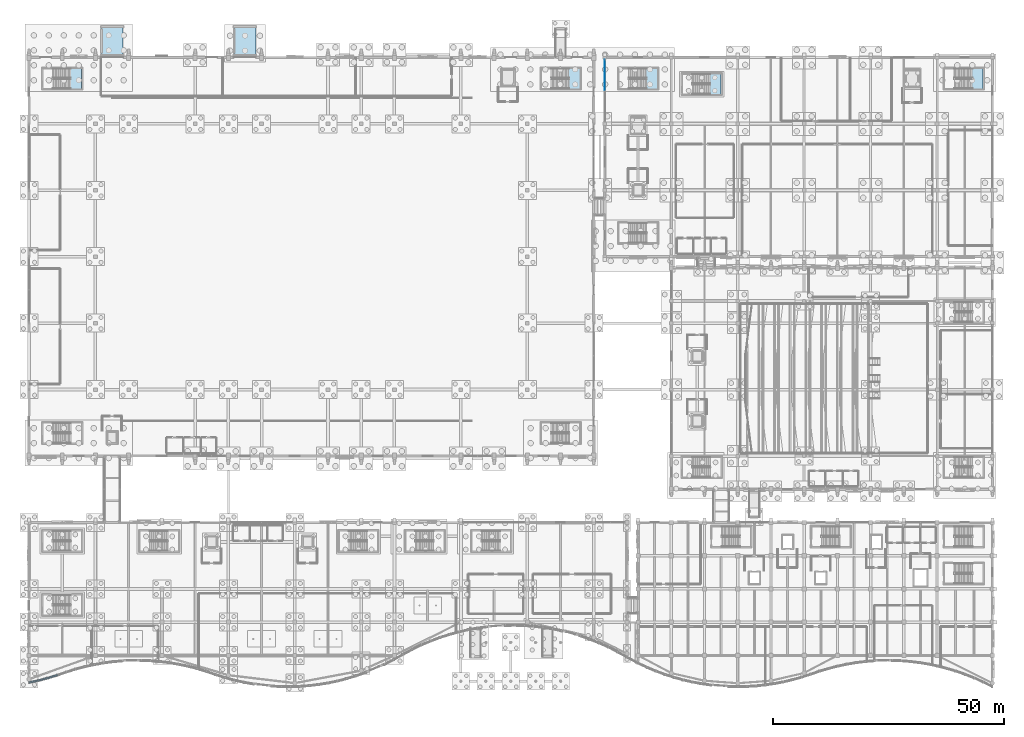
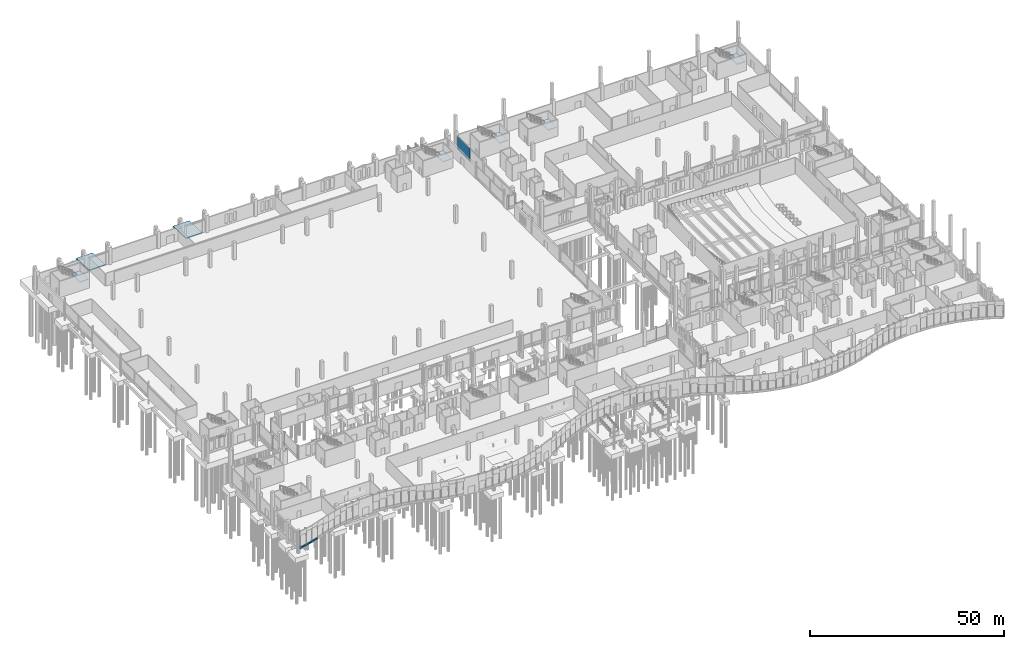
# One storey, part 129 of 192: 7 slabs, 3 walls, 2 plates, 6 elements without a shape of their own.
"""IFC4 building model written with IfcOpenShell, lengths in metres."""

from ifc_helpers import new_model, si_unit, direction, frame, frame_2d, origin, origin_2d, place, context, subcontext, project, spatial, polyline, rectangle, outline, extrude, material, layer, layer_set, type_object, element, aggregate, save


model = new_model("IFC4")

# Units and contexts
model_context = context("Model", 3, precision=1e-05, world=origin(), true_north=direction((0.0, 1.0)))
body_context = subcontext(model_context, "Body", "Model", "MODEL_VIEW")
ifc_project = project(units=[si_unit("LENGTHUNIT", "METRE"), si_unit("AREAUNIT", "SQUARE_METRE"), si_unit("VOLUMEUNIT", "CUBIC_METRE"), si_unit("PLANEANGLEUNIT", "RADIAN"), si_unit("MASSUNIT", "GRAM", prefix="KILO")], contexts=[model_context])

# Site, building, storey
site_placement = place(None, origin())
site = spatial("IfcSite", under=ifc_project, at=site_placement, CompositionType="ELEMENT")
building_placement = place(site_placement, origin())
building = spatial("IfcBuilding", under=site, at=building_placement, Name="Cendralis Lancet Convention Centre", CompositionType="ELEMENT")
storey_placement = place(building_placement, origin())
storey = spatial("IfcBuildingStorey", under=building, at=storey_placement, Name="L00", CompositionType="ELEMENT", Elevation=0.0)

# Curtain wall, plates
ifc_material_1 = material(Name="Anodised bronze architectural aluminium", Category="aluminium")
curtain_wall_type = type_object("IfcCurtainWallType", Name="ARC-CW-BL01", PredefinedType="USERDEFINED", material=ifc_material_1)
curtain_wall_placement = place(storey_placement, origin())
curtain_wall = element("IfcCurtainWall", 1, at=curtain_wall_placement, inside=storey, type_object=curtain_wall_type, Name="L00 Curtain Wall CW-BL1 #146", ObjectType="CURTAIN WALL", PredefinedType="USERDEFINED")
ifc_material_2 = material(Name="Double-glazed low-E solar-control glass", Category="glass")
ifc_layer_1 = layer(ifc_material_2, 0.035888671875, Name="Double-glazed low-E solar-control glass")
ifc_layer_set_1 = layer_set([ifc_layer_1], Name="Double-glazed low-E solar-control glass")
plate_type_1 = type_object("IfcPlateType", Name="ARC-PL-GL03", PredefinedType="CURTAIN_PANEL", material=ifc_layer_set_1)
plate_1_placement = place(storey_placement, frame((124.800048828125, 132.97509765625, 0.81982421875), z_axis=(0.0, 0.0, 1.0), x_axis=(0.0, 1.0, 0.0)))
plate_1 = element("IfcPlate", 2, at=plate_1_placement, type_object=plate_type_1, Name="Vision Glass Panel CW2-CW-BL1-L00-146-PG1", PredefinedType="CURTAIN_PANEL", context=body_context, shape_type="SweptSolid", body=[
    extrude(rectangle(XDim=6.590087890625, YDim=0.035888671875, at=origin_2d()), origin(), (0.0, 0.0, 1.0), 3.364990234375),
])
ifc_material_3 = material(Name="Insulated ceramic-fritted spandrel glass", Category="glass")
ifc_layer_2 = layer(ifc_material_3, 0.044921875, Name="Insulated ceramic-fritted spandrel glass")
ifc_layer_set_2 = layer_set([ifc_layer_2], Name="Insulated ceramic-fritted spandrel glass")
plate_type_2 = type_object("IfcPlateType", Name="ARC-PL-SP01", PredefinedType="CURTAIN_PANEL", material=ifc_layer_set_2)
plate_2_placement = place(storey_placement, frame((124.800048828125, 132.97509765625, 0.06982421875), z_axis=(0.0, 0.0, 1.0), x_axis=(0.0, 1.0, 0.0)))
plate_2 = element("IfcPlate", 3, at=plate_2_placement, type_object=plate_type_2, Name="Spandrel Panel CW2-CW-BL1-L00-146-PS1", PredefinedType="CURTAIN_PANEL", context=body_context, shape_type="SweptSolid", body=[
    extrude(rectangle(XDim=6.590087890625, YDim=0.044921875, at=origin_2d()), origin(), (0.0, 0.0, 1.0), 0.610107421875),
])
aggregate(curtain_wall, [plate_2, plate_1])

# Stair, slab
ifc_material_4 = material(Name="Concrete G35 (C35/45)", Category="concrete")
stair_type = type_object("IfcStairType", Name="ARC-ST-CORE", PredefinedType="HALF_TURN_STAIR", material=ifc_material_4)
stair_1_placement = place(storey_placement, origin())
stair_1 = element("IfcStair", 4, at=stair_1_placement, inside=storey, type_object=stair_type, Name="L00 Protected Exit Stair ST-02", PredefinedType="HALF_TURN_STAIR")
ifc_layer_3 = layer(ifc_material_4, 0.199951171875, Name="Concrete G35 (C35/45)")
ifc_layer_set_3 = layer_set([ifc_layer_3], Name="Concrete G35 (C35/45)")
slab_type_1 = type_object("IfcSlabType", Name="STR-SL-LAND", PredefinedType="LANDING", material=ifc_layer_set_3)
slab_1_placement = place(storey_placement, frame((0.0, 0.0, 2.5)))
slab_1 = element("IfcSlab", 5, at=slab_1_placement, type_object=slab_type_1, Name="ST-02 landing 1", PredefinedType="LANDING", context=body_context, shape_type="SweptSolid", body=[
    extrude(outline(polyline([(8.909912109375, 130.0), (11.39990234375, 130.0), (11.39990234375, 134.3798828125), (8.909912109375, 134.3798828125), (8.909912109375, 130.0)])), origin(), (0.0, 0.0, 1.0), 0.199951171875),
])
aggregate(stair_1, [slab_1])

stair_2_placement = place(storey_placement, origin())
stair_2 = element("IfcStair", 6, at=stair_2_placement, inside=storey, type_object=stair_type, Name="L00 Protected Exit Stair ST-04", PredefinedType="HALF_TURN_STAIR")
slab_2_placement = place(storey_placement, frame((0.0, 0.0, 2.5)))
slab_2 = element("IfcSlab", 7, at=slab_2_placement, type_object=slab_type_1, Name="ST-04 landing 1", PredefinedType="LANDING", context=body_context, shape_type="SweptSolid", body=[
    extrude(outline(polyline([(116.909912109375, 130.0), (119.39990234375, 130.0), (119.39990234375, 134.3798828125), (116.909912109375, 134.3798828125), (116.909912109375, 130.0)])), origin(), (0.0, 0.0, 1.0), 0.199951171875),
])
aggregate(stair_2, [slab_2])

stair_3_placement = place(storey_placement, origin())
stair_3 = element("IfcStair", 8, at=stair_3_placement, inside=storey, type_object=stair_type, Name="L00 Protected Exit Stair ST-05", PredefinedType="HALF_TURN_STAIR")
slab_3_placement = place(storey_placement, frame((0.0, 0.0, 2.5)))
slab_3 = element("IfcSlab", 9, at=slab_3_placement, type_object=slab_type_1, Name="ST-05 landing 1", PredefinedType="LANDING", context=body_context, shape_type="SweptSolid", body=[
    extrude(outline(polyline([(133.7099609375, 130.0), (136.199951171875, 130.0), (136.199951171875, 134.3798828125), (133.7099609375, 134.3798828125), (133.7099609375, 130.0)])), origin(), (0.0, 0.0, 1.0), 0.199951171875),
])
aggregate(stair_3, [slab_3])

stair_4_placement = place(storey_placement, origin())
stair_4 = element("IfcStair", 10, at=stair_4_placement, inside=storey, type_object=stair_type, Name="L00 Protected Exit Stair ST-06", PredefinedType="HALF_TURN_STAIR")
slab_4_placement = place(storey_placement, frame((0.0, 0.0, 2.5)))
slab_4 = element("IfcSlab", 11, at=slab_4_placement, type_object=slab_type_1, Name="ST-06 landing 1", PredefinedType="LANDING", context=body_context, shape_type="SweptSolid", body=[
    extrude(outline(polyline([(204.31005859375, 130.0), (206.800048828125, 130.0), (206.800048828125, 134.3798828125), (204.31005859375, 134.3798828125), (204.31005859375, 130.0)])), origin(), (0.0, 0.0, 1.0), 0.199951171875),
])
aggregate(stair_4, [slab_4])

stair_5_placement = place(storey_placement, origin())
stair_5 = element("IfcStair", 12, at=stair_5_placement, inside=storey, type_object=stair_type, Name="L00 Protected Exit Stair ST-19", PredefinedType="HALF_TURN_STAIR")
slab_5_placement = place(storey_placement, frame((0.0, 0.0, 2.5)))
slab_5 = element("IfcSlab", 13, at=slab_5_placement, type_object=slab_type_1, Name="ST-19 landing 1", PredefinedType="LANDING", context=body_context, shape_type="SweptSolid", body=[
    extrude(outline(polyline([(147.510009765625, 128.800048828125), (150.0, 128.800048828125), (150.0, 133.179931640625), (147.510009765625, 133.179931640625), (147.510009765625, 128.800048828125)])), origin(), (0.0, 0.0, 1.0), 0.199951171875),
])
aggregate(stair_5, [slab_5])

# Slabs
ifc_layer_4 = layer(ifc_material_4, 0.300048828125, Name="Concrete G35 (C35/45)")
ifc_layer_set_4 = layer_set([ifc_layer_4], Name="Concrete G35 (C35/45)")
slab_type_2 = type_object("IfcSlabType", Name="STR-SL-RP30", PredefinedType="FLOOR", material=ifc_layer_set_4)
slab_6_placement = place(storey_placement, frame((15.60009765625, 143.39990234375, -0.280029296875), z_axis=(0.0, 0.042073000095, 0.999114539311), x_axis=(1.0, 0.0, 0.0)))
element("IfcSlab", 14, at=slab_6_placement, inside=storey, type_object=slab_type_2, Name="Service Yard HGV Apron Vehicle Ramp RP-05 Structural Ramp Slab", PredefinedType="FLOOR", context=body_context, shape_type="SweptSolid", body=[
    extrude(outline(polyline([(0.0, 0.0), (4.7998046875, 0.0), (4.7998046875, -6.65579578927419), (0.0, -6.65579578927419), (0.0, 0.0)])), origin(), (0.0, 0.0, -1.0), 0.300048828125),
])
slab_7_placement = place(storey_placement, frame((44.39990234375, 143.39990234375, -0.280029296875), z_axis=(0.0, 0.042073000095, 0.999114539311), x_axis=(1.0, 0.0, 0.0)))
element("IfcSlab", 15, at=slab_7_placement, inside=storey, type_object=slab_type_2, Name="Service Yard HGV Apron Vehicle Ramp RP-06 Structural Ramp Slab", PredefinedType="FLOOR", context=body_context, shape_type="SweptSolid", body=[
    extrude(outline(polyline([(0.0, 0.0), (4.800048828125, 0.0), (4.800048828125, -6.65579578927419), (0.0, -6.65579578927419), (0.0, 0.0)])), origin(), (0.0, 0.0, -1.0), 0.300048828125),
])

# Walls
ifc_material_5 = material(Name="Buff sandstone ashlar and Concrete G40 (C40/50)", Category="masonry")
ifc_layer_5 = layer(ifc_material_5, 0.340087890625, Name="Buff sandstone ashlar and Concrete G40 (C40/50)")
ifc_layer_set_5 = layer_set([ifc_layer_5], Name="Buff sandstone ashlar and Concrete G40 (C40/50)")
wall_type = type_object("IfcWallType", Name="ARC-EW-W340", PredefinedType="STANDARD", material=ifc_layer_set_5)
wall_1_placement = place(storey_placement, frame((0.0, 1.324951171875, 0.0), z_axis=(0.0, 0.0, 1.0), x_axis=(0.977391411292, 0.211438003045, 0.0)))
element("IfcWall", 16, at=wall_1_placement, inside=storey, type_object=wall_type, Name="South Wave Stone Plinth WP-001-WP-002", PredefinedType="STANDARD", context=body_context, shape_type="SweptSolid", body=[
    extrude(rectangle(XDim=2.156982421875, YDim=0.340087890625, at=frame_2d((1.07861328125, 0.0))), origin(), (0.0, 0.0, 1.0), 0.449951171875),
])
wall_2_placement = place(storey_placement, frame((1.94287109375, 1.741455078125, 0.0), z_axis=(0.0, 0.0, 1.0), x_axis=(0.967279624391, 0.253712688365, 0.0)))
element("IfcWall", 17, at=wall_2_placement, inside=storey, type_object=wall_type, Name="South Wave Stone Plinth WP-002-WP-003", PredefinedType="STANDARD", context=body_context, shape_type="SweptSolid", body=[
    extrude(rectangle(XDim=2.26318359375, YDim=0.340087890625, at=frame_2d((1.131591796875, 0.0))), origin(), (0.0, 0.0, 1.0), 0.449951171875),
])
wall_3_placement = place(storey_placement, frame((3.96875, 2.268798828125, 0.0), z_axis=(0.0, 0.0, 1.0), x_axis=(0.955303090407, 0.295628154037, 0.0)))
element("IfcWall", 18, at=wall_3_placement, inside=storey, type_object=wall_type, Name="South Wave Stone Plinth WP-003-WP-004", PredefinedType="STANDARD", context=body_context, shape_type="SweptSolid", body=[
    extrude(rectangle(XDim=2.290771484375, YDim=0.340087890625, at=frame_2d((1.1455078125, 0.0))), origin(), (0.0, 0.0, 1.0), 0.449951171875),
])

save(model, "model.ifc")
